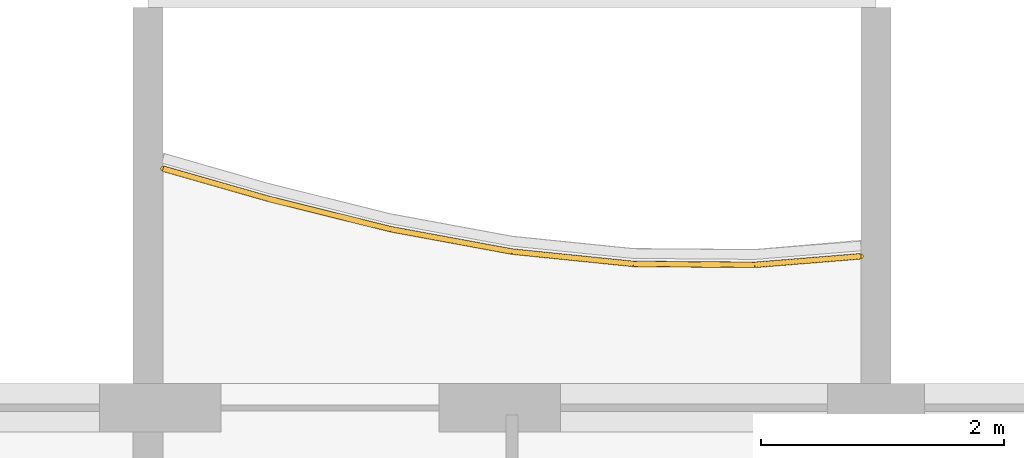
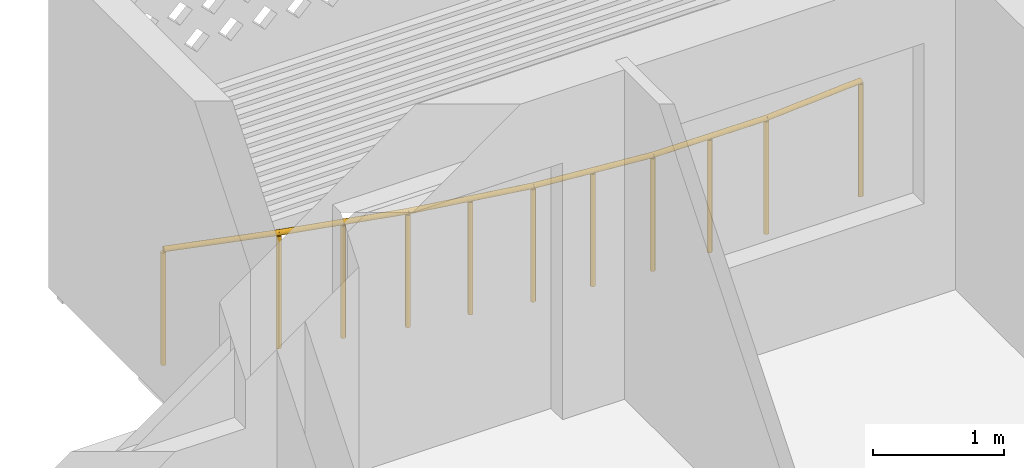
# One storey, part 19 of 28: 1 railing.
"""IFC4 building model written with IfcOpenShell, lengths in metres."""

from ifc_helpers import new_model, si_unit, direction, frame, origin, origin_2d, place, context, subcontext, project, spatial, circle, extrude, material, type_object, element, save


model = new_model("IFC4")

# Units and contexts
model_context = context("Model", 3, precision=1e-05, world=origin(), true_north=direction((0.0, 1.0)))
body_context = subcontext(model_context, "Body", "Model", "MODEL_VIEW")
ifc_project = project(units=[si_unit("LENGTHUNIT", "METRE"), si_unit("AREAUNIT", "SQUARE_METRE"), si_unit("VOLUMEUNIT", "CUBIC_METRE"), si_unit("PLANEANGLEUNIT", "RADIAN"), si_unit("MASSUNIT", "GRAM", prefix="KILO")], contexts=[model_context])

# Site, building, storey
site_placement = place(None, origin())
site = spatial("IfcSite", under=ifc_project, at=site_placement, CompositionType="ELEMENT")
building_placement = place(site_placement, origin())
building = spatial("IfcBuilding", under=site, at=building_placement, Name="Poui Terraces", CompositionType="ELEMENT")
storey_placement = place(building_placement, frame((0.0, 0.0, 188.39990234375)))
storey = spatial("IfcBuildingStorey", under=building, at=storey_placement, Name="L52", CompositionType="ELEMENT", Elevation=188.39990234375)

# Railing
ifc_material = material(Name="Painted steel fretwork", Category="steel")
railing_type = type_object("IfcRailingType", Name="BALCONY GUARD 1100", PredefinedType="GUARDRAIL", material=ifc_material)
railing_placement = place(storey_placement, frame((42.125, 43.171142578125, 0.0)))
element("IfcRailing", 1, at=railing_placement, inside=storey, type_object=railing_type, Name="BALCONY GUARD", PredefinedType="GUARDRAIL", context=body_context, shape_type="SweptSolid", body=[
    extrude(circle(Radius=0.02392578125, at=origin_2d()), frame((0.0, 0.0, 1.076171875), z_axis=(0.961453053843, -0.274969135097, 0.0), x_axis=(0.274969135097, 0.961453053843, 0.0)), (0.0, 0.0, 1.0), 0.91015625),
    extrude(circle(Radius=0.02392578125, at=origin_2d()), frame((0.875, -0.250244140625, 1.076171875), z_axis=(0.970476070643, -0.241197421854, 0.0), x_axis=(0.241197421854, 0.970476070643, 0.0)), (0.0, 0.0, 1.0), 1.030517578125),
    extrude(circle(Radius=0.02392578125, at=origin_2d()), frame((1.875, -0.498779296875, 1.076171875), z_axis=(0.983390092547, -0.181504616691, 0.0), x_axis=(0.181504616691, 0.983390092547, 0.0)), (0.0, 0.0, 1.0), 1.016845703125),
    extrude(circle(Radius=0.02392578125, at=origin_2d()), frame((2.875, -0.683349609375, 1.076171875), z_axis=(0.994882088655, -0.101042712129, 0.0), x_axis=(0.101042712129, 0.994882088655, 0.0)), (0.0, 0.0, 1.0), 1.005126953125),
    extrude(circle(Radius=0.02392578125, at=origin_2d()), frame((3.875, -0.784912109375, 1.076171875), z_axis=(0.999969483819, -0.007812261592, 0.0), x_axis=(0.007812261592, 0.999969483819, 0.0)), (0.0, 0.0, 1.0), 1.0),
    extrude(circle(Radius=0.02392578125, at=origin_2d()), frame((4.875, -0.792724609375, 1.076171875), z_axis=(0.996764673802, 0.080375276431, 0.0), x_axis=(-0.080375276431, 0.996764673802, 0.0)), (0.0, 0.0, 1.0), 0.8779296875),
    extrude(circle(Radius=0.02099609375, at=origin_2d()), origin(), (0.0, 0.0, 1.0), 1.052001953125),
    extrude(circle(Radius=0.02099609375, at=origin_2d()), frame((0.875, -0.250244140625, 0.0)), (0.0, 0.0, 1.0), 1.052001953125),
    extrude(circle(Radius=0.02099609375, at=origin_2d()), frame((1.375, -0.37451171875, 0.0)), (0.0, 0.0, 1.0), 1.052001953125),
    extrude(circle(Radius=0.02099609375, at=origin_2d()), frame((1.875, -0.498779296875, 0.0)), (0.0, 0.0, 1.0), 1.052001953125),
    extrude(circle(Radius=0.02099609375, at=origin_2d()), frame((2.375, -0.591064453125, 0.0)), (0.0, 0.0, 1.0), 1.052001953125),
    extrude(circle(Radius=0.02099609375, at=origin_2d()), frame((2.875, -0.683349609375, 0.0)), (0.0, 0.0, 1.0), 1.052001953125),
    extrude(circle(Radius=0.02099609375, at=origin_2d()), frame((3.375, -0.734130859375, 0.0)), (0.0, 0.0, 1.0), 1.052001953125),
    extrude(circle(Radius=0.02099609375, at=origin_2d()), frame((3.875, -0.784912109375, 0.0)), (0.0, 0.0, 1.0), 1.052001953125),
    extrude(circle(Radius=0.02099609375, at=origin_2d()), frame((4.375, -0.788818359375, 0.0)), (0.0, 0.0, 1.0), 1.052001953125),
    extrude(circle(Radius=0.02099609375, at=origin_2d()), frame((4.875, -0.792724609375, 0.0)), (0.0, 0.0, 1.0), 1.052001953125),
    extrude(circle(Radius=0.02099609375, at=origin_2d()), frame((5.75, -0.72216796875, 0.0)), (0.0, 0.0, 1.0), 1.052001953125),
])

save(model, "model.ifc")
